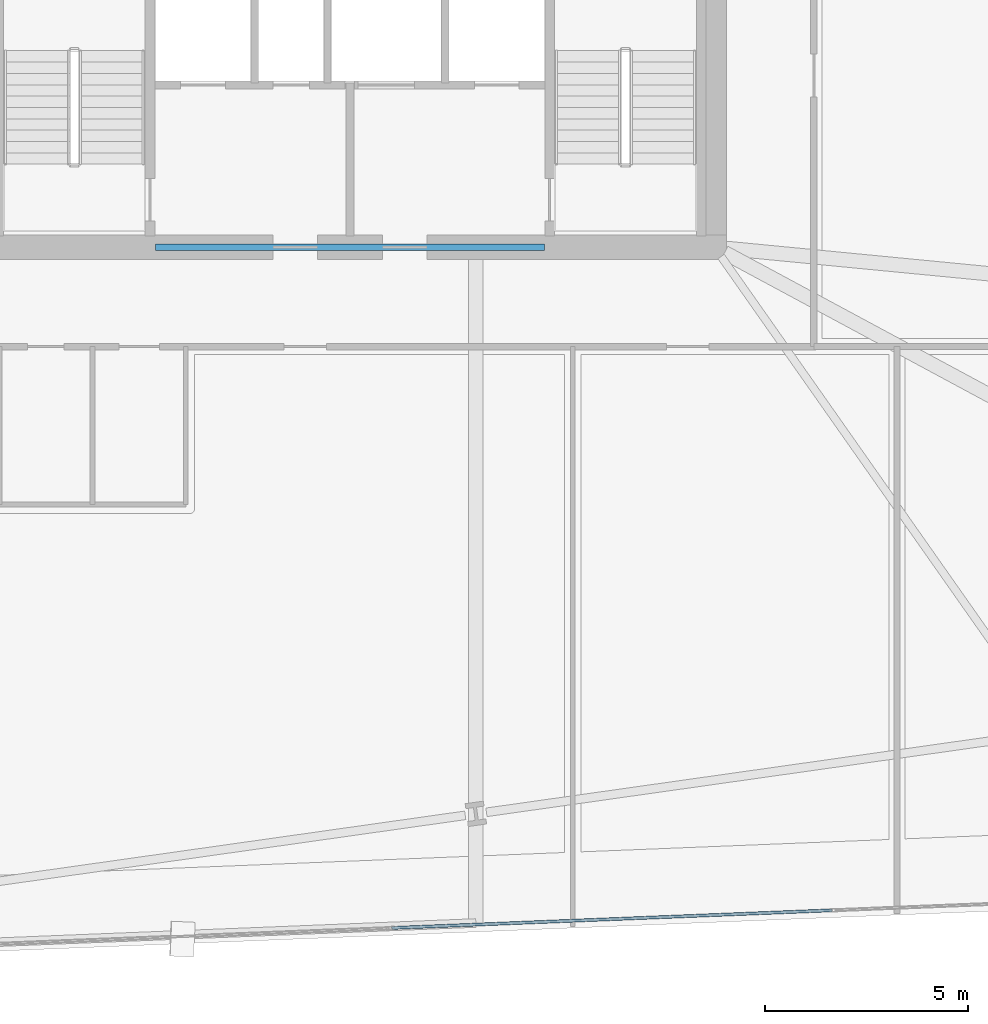
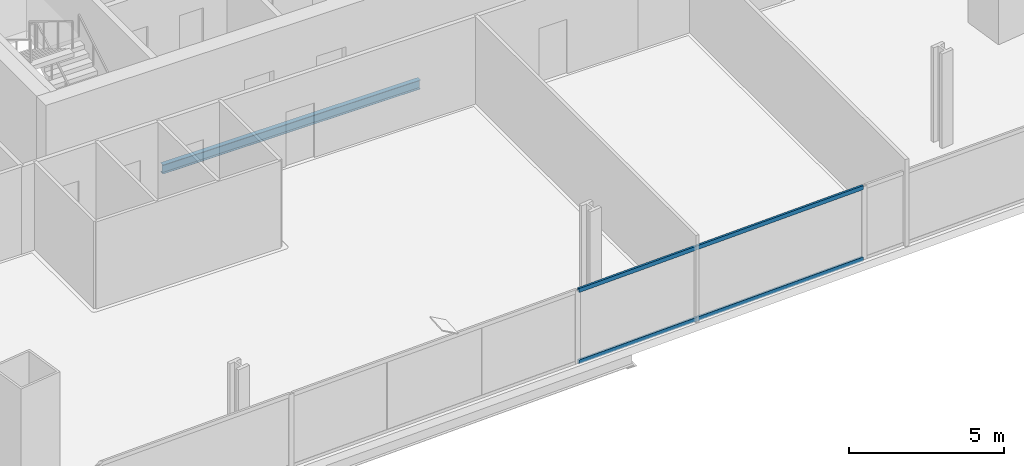
# One storey, part 8 of 32: 2 members, 1 beam, 1 element without a shape of its own.
"""IFC4 building model written with IfcOpenShell, lengths in metres."""

from ifc_helpers import new_model, si_unit, direction, frame, origin, origin_2d, place, context, subcontext, project, spatial, hollow_rectangle, i_section, extrude, material, material_profile, profile_set, type_object, element, aggregate, save


model = new_model("IFC4")

# Units and contexts
model_context = context("Model", 3, precision=1e-05, world=origin(), true_north=direction((0.0, 1.0)))
body_context = subcontext(model_context, "Body", "Model", "MODEL_VIEW")
ifc_project = project(units=[si_unit("LENGTHUNIT", "METRE"), si_unit("AREAUNIT", "SQUARE_METRE"), si_unit("VOLUMEUNIT", "CUBIC_METRE"), si_unit("PLANEANGLEUNIT", "RADIAN"), si_unit("MASSUNIT", "GRAM", prefix="KILO")], contexts=[model_context])

# Site, building, storey
site_placement = place(None, origin())
site = spatial("IfcSite", under=ifc_project, at=site_placement, CompositionType="ELEMENT")
building_placement = place(site_placement, origin())
building = spatial("IfcBuilding", under=site, at=building_placement, Name="Haldenkirk Collegiate Tower", CompositionType="ELEMENT")
storey_placement = place(building_placement, frame((0.0, 0.0, 36.449951171875)))
storey = spatial("IfcBuildingStorey", under=building, at=storey_placement, Name="L07", CompositionType="ELEMENT", Elevation=36.449951171875)

# Beam
ifc_material_1 = material(Name="Steel ASTM A992 Grade 50", Category="steel")
ifc_material_profile_1 = material_profile(ifc_material_1, i_section(OverallWidth=0.1708984375, OverallDepth=0.35595703125, WebThickness=0.007080078125, FlangeThickness=0.01171875, at=origin_2d()), Name="W14X34")
ifc_profile_set_1 = profile_set([ifc_material_profile_1], Name="Steel ASTM A992 Grade 50")
beam_type = type_object("IfcBeamType", Name="BM-LINTEL-W14X34", PredefinedType="LINTEL", material=ifc_profile_set_1)
beam_placement = place(storey_placement, frame((31.199951171875, 18.0, -0.488037109375), z_axis=(1.0, 0.0, 0.0), x_axis=(0.0, 1.0, 0.0)))
element("IfcBeam", 1, at=beam_placement, inside=storey, type_object=beam_type, Name="L07 south core coupling lintel", PredefinedType="LINTEL", context=body_context, shape_type="SweptSolid", body=[
    extrude(i_section(OverallWidth=0.1708984375, OverallDepth=0.35595703125, WebThickness=0.007080078125, FlangeThickness=0.01171875, at=origin_2d()), origin(), (0.0, 0.0, 1.0), 9.60009765625),
])

# Curtain wall, members
ifc_material_2 = material(Name="Anodised architectural bronze aluminium", Category="aluminium")
curtain_wall_type = type_object("IfcCurtainWallType", Name="CW-SYS2-CONCAVE", PredefinedType="USERDEFINED", material=ifc_material_2)
curtain_wall_placement = place(storey_placement, origin())
curtain_wall = element("IfcCurtainWall", 2, at=curtain_wall_placement, inside=storey, type_object=curtain_wall_type, Name="L07 South concave recessed bronze-anodised curtain wall", ObjectType="UNITISED CURTAIN WALL", PredefinedType="USERDEFINED")
ifc_material_profile_2 = material_profile(ifc_material_2, hollow_rectangle(XDim=0.074951171875, YDim=0.159912109375, WallThickness=0.0048828125, at=origin_2d()), Name="CW-TRN-02")
ifc_profile_set_2 = profile_set([ifc_material_profile_2], Name="Anodised architectural bronze aluminium")
member_type = type_object("IfcMemberType", Name="CW-TRN-02", PredefinedType="USERDEFINED", material=ifc_profile_set_2)
member_1_placement = place(storey_placement, frame((47.899658203125, 1.637939453125, 0.03759765625), z_axis=(-0.999194022171, -0.040141076946, 0.0), x_axis=(0.040141076946, -0.999194022171, 0.0)))
member_1 = element("IfcMember", 3, at=member_1_placement, type_object=member_type, Name="CW-02 transom 2.1", ObjectType="TRANSOM", PredefinedType="USERDEFINED", context=body_context, shape_type="SweptSolid", body=[
    extrude(hollow_rectangle(XDim=0.074951171875, YDim=0.159912109375, WallThickness=0.0048828125, at=origin_2d()), origin(), (0.0, 0.0, 1.0), 10.874755859375),
])
member_2_placement = place(storey_placement, frame((47.899658203125, 1.637939453125, 2.853515625), z_axis=(-0.999194022171, -0.040141076946, 0.0), x_axis=(0.040141076946, -0.999194022171, 0.0)))
member_2 = element("IfcMember", 4, at=member_2_placement, type_object=member_type, Name="CW-02 transom 2.2", ObjectType="TRANSOM", PredefinedType="USERDEFINED", context=body_context, shape_type="SweptSolid", body=[
    extrude(hollow_rectangle(XDim=0.074951171875, YDim=0.159912109375, WallThickness=0.0048828125, at=origin_2d()), origin(), (0.0, 0.0, 1.0), 10.874755859375),
])
aggregate(curtain_wall, [member_1, member_2])

save(model, "model.ifc")
